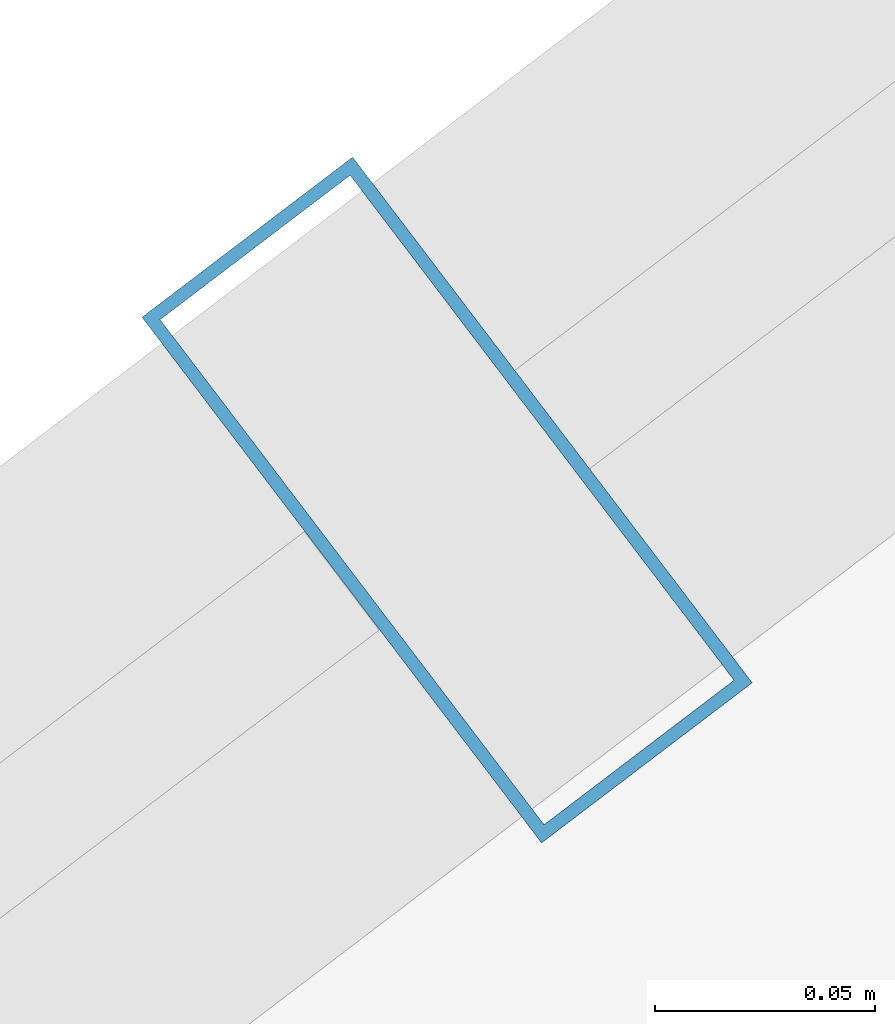
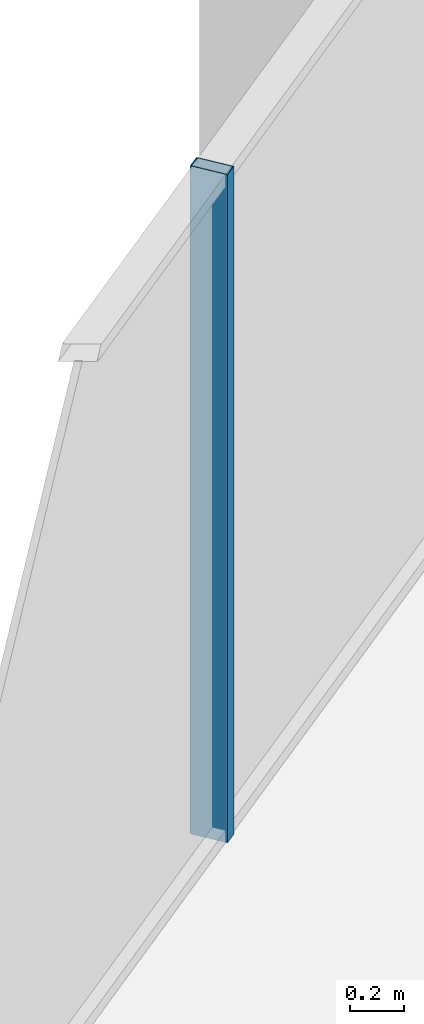
# One storey, part 21 of 32: 1 member, 1 element without a shape of its own.
"""IFC4 building model written with IfcOpenShell, lengths in metres."""

from ifc_helpers import new_model, si_unit, direction, frame, origin, origin_2d, place, context, subcontext, project, spatial, hollow_rectangle, extrude, source, transform, mapped, material, layer, layer_set, material_profile, profile_set, type_object, element, aggregate, save


model = new_model("IFC4")

# Units and contexts
model_context = context("Model", 3, precision=1e-05, world=origin(), true_north=direction((0.0, 1.0)))
body_context = subcontext(model_context, "Body", "Model", "MODEL_VIEW")
ifc_project = project(units=[si_unit("LENGTHUNIT", "METRE"), si_unit("AREAUNIT", "SQUARE_METRE"), si_unit("VOLUMEUNIT", "CUBIC_METRE"), si_unit("PLANEANGLEUNIT", "RADIAN"), si_unit("MASSUNIT", "GRAM", prefix="KILO")], contexts=[model_context])

# Site, building, storey
site_placement = place(None, origin())
site = spatial("IfcSite", under=ifc_project, at=site_placement, CompositionType="ELEMENT")
building_placement = place(site_placement, origin())
building = spatial("IfcBuilding", under=site, at=building_placement, Name="Veraguas Prism Commons", CompositionType="ELEMENT")
storey_placement = place(building_placement, frame((0.0, 0.0, 182.10009765625)))
storey = spatial("IfcBuildingStorey", under=building, at=storey_placement, Name="L51", CompositionType="ELEMENT", Elevation=182.10009765625)

# Curtain wall, member
ifc_material = material(Name="Anodised aluminium EN AW-6063 T6", Category="aluminium")
ifc_layer = layer(ifc_material, 0.14990234375, Name="Unitised Flush Curtain Wall Zone 3", Category="aluminium")
ifc_layer_set = layer_set([ifc_layer], Name="Anodised aluminium EN AW-6063 T6")
curtain_wall_type = type_object("IfcCurtainWallType", Name="Unitised Flush Curtain Wall Zone 3", PredefinedType="NOTDEFINED", material=ifc_layer_set)
curtain_wall_placement = place(storey_placement, origin())
curtain_wall = element("IfcCurtainWall", 1, at=curtain_wall_placement, inside=storey, type_object=curtain_wall_type, Name="Tower Facade Curtain Wall L51-F2", PredefinedType="NOTDEFINED")
ifc_material_profile = material_profile(ifc_material, hollow_rectangle(XDim=0.06005859375, YDim=0.14990234375, WallThickness=0.0029296875, at=origin_2d()), Name="AL60X150X3")
ifc_profile_set = profile_set([ifc_material_profile], Name="Anodised aluminium EN AW-6063 T6")
member_type = type_object("IfcMemberType", Name="Curtain Wall Mullion Upper AL 60x150x3", PredefinedType="MULLION", material=ifc_profile_set)
shared_shape = source(origin(), body_context, "Body", "SweptSolid", [
    extrude(hollow_rectangle(XDim=0.06005859375, YDim=0.14990234375, WallThickness=0.0029296875, at=origin_2d()), origin(), (0.0, 0.0, 1.0), 3.014892578125),
])
member_placement = place(storey_placement, frame((13.28271484375, 38.099365234375, 0.0), z_axis=(0.0, 0.0, 1.0), x_axis=(-0.796104465545, -0.605159218668, 0.0)))
member = element("IfcMember", 2, at=member_placement, type_object=member_type, Name="CW-Z3 Mullion 3", PredefinedType="MULLION", context=body_context, shape_type="MappedRepresentation", body=[
    mapped(shared_shape, transform((0.0, 0.0, 0.0), scale=1.0)),
])
aggregate(curtain_wall, [member])

save(model, "model.ifc")
